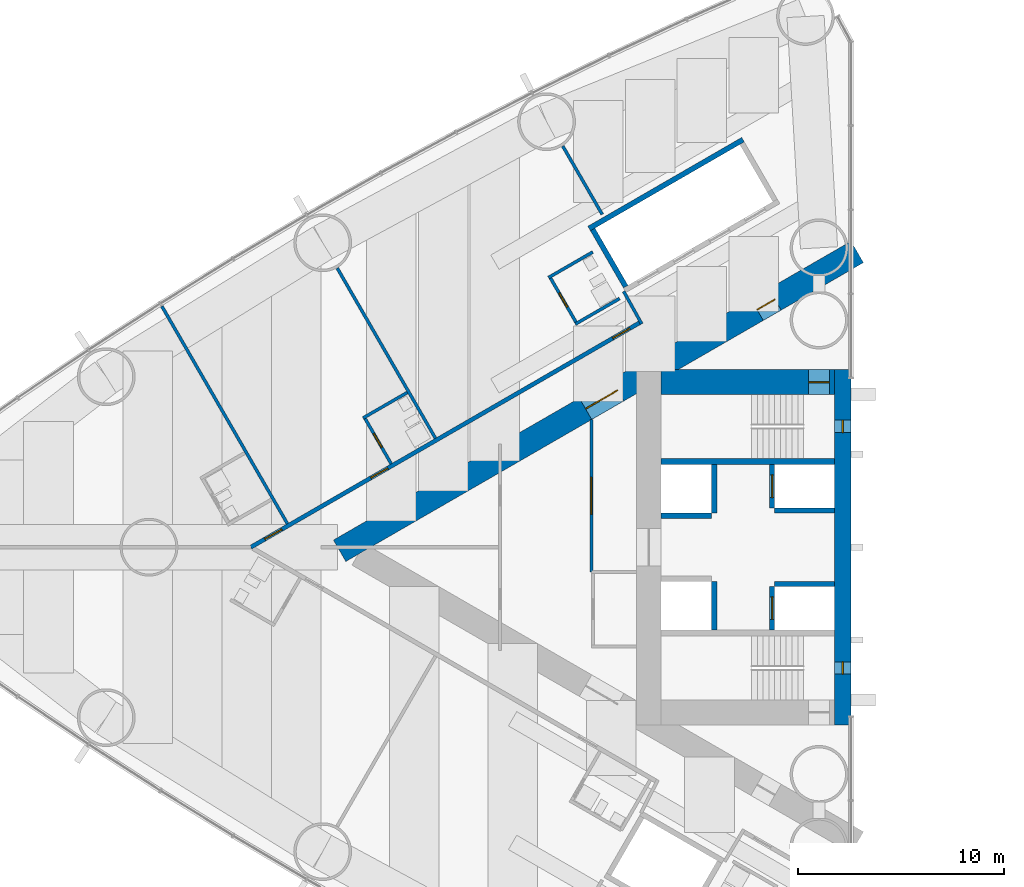
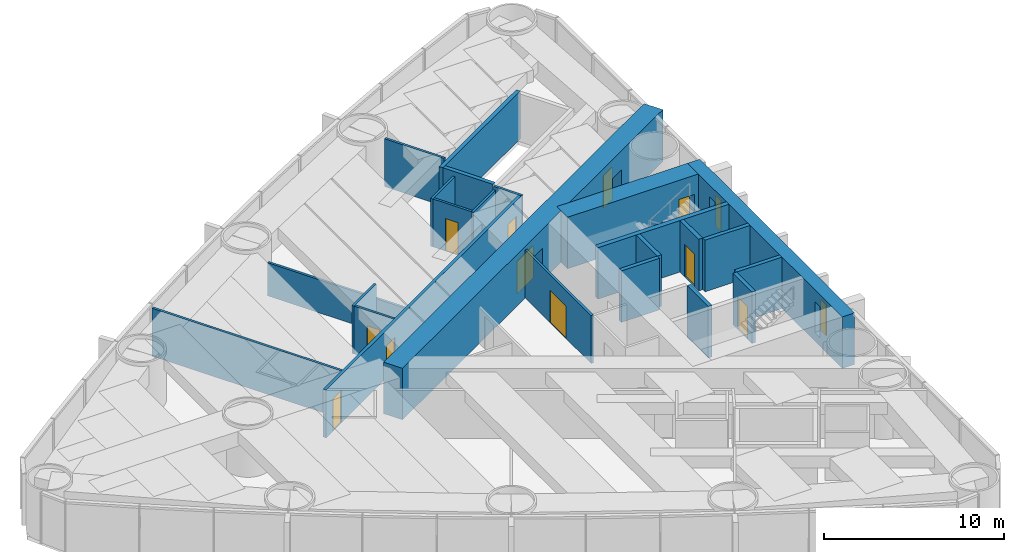
# One storey, part 12 of 19: 24 walls, 11 doors, 2 windows, 13 openings.
"""IFC4 building model written with IfcOpenShell, lengths in metres."""

from ifc_helpers import new_model, si_unit, direction, frame, frame_2d, origin, place, context, subcontext, project, spatial, rectangle, extrude, material, layer, layer_set, type_object, element, fill, save


model = new_model("IFC4")

# Units and contexts
model_context = context("Model", 3, precision=1e-05, world=origin(), true_north=direction((0.0, 1.0)))
body_context = subcontext(model_context, "Body", "Model", "MODEL_VIEW")
ifc_project = project(units=[si_unit("LENGTHUNIT", "METRE"), si_unit("AREAUNIT", "SQUARE_METRE"), si_unit("VOLUMEUNIT", "CUBIC_METRE"), si_unit("PLANEANGLEUNIT", "RADIAN"), si_unit("MASSUNIT", "GRAM", prefix="KILO")], contexts=[model_context])

# Site, building, storey
site_placement = place(None, origin())
site = spatial("IfcSite", under=ifc_project, at=site_placement, CompositionType="ELEMENT")
building_placement = place(site_placement, origin())
building = spatial("IfcBuilding", under=site, at=building_placement, Name="Lancet Gate Hotel", CompositionType="ELEMENT")
storey_placement = place(building_placement, frame((0.0, 0.0, 67.0)))
storey = spatial("IfcBuildingStorey", under=building, at=storey_placement, Name="L17", CompositionType="ELEMENT", Elevation=67.0)

# Wall
ifc_material_1 = material(Name="Moisture resistant board partition")
ifc_layer_1 = layer(ifc_material_1, 0.14990234375)
ifc_layer_set_1 = layer_set([ifc_layer_1], Name="Bathroom wall 150")
wall_type_1 = type_object("IfcWallType", Name="Bathroom wall 150", PredefinedType="PARTITIONING", material=ifc_layer_set_1)
wall_1_placement = place(storey_placement, frame((-48.99169921875, 7.491943359375, 0.0), z_axis=(0.0, 0.0, 1.0), x_axis=(-0.866031185235, -0.4999899861, 0.0)))
element("IfcWall", 1, at=wall_1_placement, inside=storey, type_object=wall_type_1, Name="T1 bathroom wall 150 L17", PredefinedType="PARTITIONING", context=body_context, shape_type="SweptSolid", body=[
    extrude(rectangle(XDim=2.47509765625, YDim=0.14990234375, at=frame_2d((1.237548828125, 0.0))), origin(), (0.0, 0.0, 1.0), 3.25),
])

# Wall, opening, door
wall_2_placement = place(storey_placement, frame((-49.770263671875, 4.040283203125, 0.0), z_axis=(0.0, 0.0, 1.0), x_axis=(-0.500006934395, 0.866021400173, 0.0)))
wall_2 = element("IfcWall", 2, at=wall_2_placement, inside=storey, type_object=wall_type_1, Name="T1 bathroom wall 150 L17", PredefinedType="PARTITIONING", context=body_context, shape_type="SweptSolid", body=[
    extrude(rectangle(XDim=2.60009765625, YDim=0.14990234375, at=frame_2d((1.300048828125, 0.0))), origin(), (0.0, 0.0, 1.0), 3.25),
])
opening_1_placement = place(wall_2_placement, frame((0.89990234375, 0.0, 0.0)))
opening_1 = element("IfcOpeningElement", 3, at=opening_1_placement, cuts=wall_2, Name="Opening 1703-B", PredefinedType="OPENING", context=body_context, shape_type="SweptSolid", body=[
    extrude(rectangle(XDim=0.800048828125, YDim=2.199951171875, at=frame_2d((0.39990234375, 1.10009765625))), frame((0.0, 0.0849609375, 0.0), z_axis=(0.0, -1.0, 0.0), x_axis=(1.0, 0.0, 0.0)), (0.0, 0.0, 1.0), 0.169921875),
])
ifc_material_2 = material(Name="Timber door set", Category="wood")
door_type_1 = type_object("IfcDoorType", Name="Bathroom door 800", OperationType="SINGLE_SWING_RIGHT", PredefinedType="DOOR", material=ifc_material_2)
door_1_placement = place(opening_1_placement, origin())
door_1 = element("IfcDoor", 4, at=door_1_placement, inside=storey, type_object=door_type_1, Name="1703-B", OperationType="SINGLE_SWING_RIGHT", OverallHeight=2.199951171875, OverallWidth=0.800048828125, PredefinedType="DOOR", context=body_context, shape_type="SweptSolid", body=[
    extrude(rectangle(XDim=0.800048828125, YDim=2.199951171875, at=frame_2d((0.39990234375, 1.10009765625))), frame((0.0, 0.02490234375, 0.0), z_axis=(0.0, -1.0, 0.0), x_axis=(1.0, 0.0, 0.0)), (0.0, 0.0, 1.0), 0.050048828125),
])
fill(opening_1, door_1)

# Wall
wall_3_placement = place(storey_placement, frame((-40.009765625, 14.294189453125, 0.0), z_axis=(0.0, 0.0, 1.0), x_axis=(-0.866031185235, -0.4999899861, 0.0)))
element("IfcWall", 5, at=wall_3_placement, inside=storey, type_object=wall_type_1, Name="T1 bathroom wall 150 L17", PredefinedType="PARTITIONING", context=body_context, shape_type="SweptSolid", body=[
    extrude(rectangle(XDim=2.47509765625, YDim=0.14990234375, at=frame_2d((1.237548828125, 0.0))), origin(), (0.0, 0.0, 1.0), 3.25),
])

# Wall, opening, door
wall_4_placement = place(storey_placement, frame((-40.788330078125, 10.842529296875, 0.0), z_axis=(0.0, 0.0, 1.0), x_axis=(-0.500006934395, 0.866021400173, 0.0)))
wall_4 = element("IfcWall", 6, at=wall_4_placement, inside=storey, type_object=wall_type_1, Name="T1 bathroom wall 150 L17", PredefinedType="PARTITIONING", context=body_context, shape_type="SweptSolid", body=[
    extrude(rectangle(XDim=2.60009765625, YDim=0.14990234375, at=frame_2d((1.300048828125, 0.0))), origin(), (0.0, 0.0, 1.0), 3.25),
])
opening_2_placement = place(wall_4_placement, frame((0.89990234375, 0.0, 0.0)))
opening_2 = element("IfcOpeningElement", 7, at=opening_2_placement, cuts=wall_4, Name="Opening 1702-B", PredefinedType="OPENING", context=body_context, shape_type="SweptSolid", body=[
    extrude(rectangle(XDim=0.800048828125, YDim=2.199951171875, at=frame_2d((0.39990234375, 1.10009765625))), frame((0.0, 0.0849609375, 0.0), z_axis=(0.0, -1.0, 0.0), x_axis=(1.0, 0.0, 0.0)), (0.0, 0.0, 1.0), 0.169921875),
])
door_2_placement = place(opening_2_placement, origin())
door_2 = element("IfcDoor", 8, at=door_2_placement, inside=storey, type_object=door_type_1, Name="1702-B", OperationType="SINGLE_SWING_RIGHT", OverallHeight=2.199951171875, OverallWidth=0.800048828125, PredefinedType="DOOR", context=body_context, shape_type="SweptSolid", body=[
    extrude(rectangle(XDim=0.800048828125, YDim=2.199951171875, at=frame_2d((0.39990234375, 1.10009765625))), frame((0.0, 0.02490234375, 0.0), z_axis=(0.0, -1.0, 0.0), x_axis=(1.0, 0.0, 0.0)), (0.0, 0.0, 1.0), 0.050048828125),
])
fill(opening_2, door_2)

# Wall
wall_5_placement = place(storey_placement, frame((-38.7099609375, 12.04248046875, 0.0), z_axis=(0.0, 0.0, 1.0), x_axis=(-0.86604923931, -0.499958713387, 0.0)))
element("IfcWall", 9, at=wall_5_placement, inside=storey, type_object=wall_type_1, Name="T1 bathroom wall 150 L17", PredefinedType="PARTITIONING", context=body_context, shape_type="SweptSolid", body=[
    extrude(rectangle(XDim=2.474853515625, YDim=0.14990234375, at=frame_2d((1.2373046875, 0.0))), origin(), (0.0, 0.0, 1.0), 3.25),
])

# Wall, openings, doors
ifc_material_3 = material(Name="Concrete C70/85", Category="concrete")
ifc_layer_2 = layer(ifc_material_3, 1.199951171875)
ifc_layer_set_2 = layer_set([ifc_layer_2], Name="Buttress wall 1200")
wall_type_2 = type_object("IfcWallType", Name="Buttress wall 1200", PredefinedType="SHEAR", material=ifc_layer_set_2)
wall_6_placement = place(storey_placement, frame((-27.199951171875, 14.300048828125, 0.0), z_axis=(0.0, 0.0, 1.0), x_axis=(-0.866026593062, -0.499997940104, 0.0)))
wall_6 = element("IfcWall", 10, at=wall_6_placement, inside=storey, type_object=wall_type_2, Name="T1 buttress wall S L17", PredefinedType="SHEAR", context=body_context, shape_type="SweptSolid", body=[
    extrude(rectangle(XDim=28.9462890625, YDim=1.199951171875, at=frame_2d((14.47314453125, 0.0))), origin(), (0.0, 0.0, 1.0), 3.5),
])
opening_3_placement = place(wall_6_placement, frame((4.60009765625, 0.0, 0.0)))
opening_3 = element("IfcOpeningElement", 11, at=opening_3_placement, cuts=wall_6, Name="Opening T1-L17-LS", PredefinedType="OPENING", context=body_context, shape_type="SweptSolid", body=[
    extrude(rectangle(XDim=1.0, YDim=2.199951171875, at=frame_2d((0.5, 1.10009765625))), frame((0.0, 0.60986328125, 0.0), z_axis=(0.0, -1.0, 0.0), x_axis=(1.0, 0.0, 0.0)), (0.0, 0.0, 1.0), 1.219970703125),
])
opening_4_placement = place(wall_6_placement, frame((13.39453125, 0.0, 0.0)))
opening_4 = element("IfcOpeningElement", 12, at=opening_4_placement, cuts=wall_6, Name="Opening T1-L17-LHS", PredefinedType="OPENING", context=body_context, shape_type="SweptSolid", body=[
    extrude(rectangle(XDim=1.800048828125, YDim=2.199951171875, at=frame_2d((0.89990234375, 1.10009765625))), frame((0.0, 0.60986328125, 0.0), z_axis=(0.0, -1.0, 0.0), x_axis=(1.0, 0.0, 0.0)), (0.0, 0.0, 1.0), 1.219970703125),
])
ifc_material_4 = material(Name="Timber door set", Category="wood")
door_type_2 = type_object("IfcDoorType", Name="Lobby double door 1800", OperationType="DOUBLE_DOOR_SINGLE_SWING", PredefinedType="DOOR", material=ifc_material_4)
door_3_placement = place(opening_4_placement, origin())
door_3 = element("IfcDoor", 13, at=door_3_placement, inside=storey, type_object=door_type_2, Name="T1-L17-LHS", OperationType="DOUBLE_DOOR_SINGLE_SWING", OverallHeight=2.199951171875, OverallWidth=1.800048828125, PredefinedType="DOOR", context=body_context, shape_type="SweptSolid", body=[
    extrude(rectangle(XDim=1.800048828125, YDim=2.199951171875, at=frame_2d((0.89990234375, 1.10009765625))), frame((0.0, 0.02490234375, 0.0), z_axis=(0.0, -1.0, 0.0), x_axis=(1.0, 0.0, 0.0)), (0.0, 0.0, 1.0), 0.050048828125),
])
fill(opening_4, door_3)
ifc_material_5 = material(Name="Timber door set", Category="wood")
door_type_3 = type_object("IfcDoorType", Name="Stair lobby door 1000", OperationType="SINGLE_SWING_LEFT", PredefinedType="DOOR", material=ifc_material_5)
door_4_placement = place(opening_3_placement, origin())
door_4 = element("IfcDoor", 14, at=door_4_placement, inside=storey, type_object=door_type_3, Name="T1-L17-LS", OperationType="SINGLE_SWING_LEFT", OverallHeight=2.199951171875, OverallWidth=1.0, PredefinedType="DOOR", context=body_context, shape_type="SweptSolid", body=[
    extrude(rectangle(XDim=1.0, YDim=2.199951171875, at=frame_2d((0.5, 1.10009765625))), frame((0.0, 0.02490234375, 0.0), z_axis=(0.0, -1.0, 0.0), x_axis=(1.0, 0.0, 0.0)), (0.0, 0.0, 1.0), 0.050048828125),
])
fill(opening_3, door_4)

# Wall, opening, door
ifc_material_6 = material(Name="Concrete C70/85", Category="concrete")
ifc_layer_3 = layer(ifc_material_6, 1.199951171875)
ifc_layer_set_3 = layer_set([ifc_layer_3], Name="Core wall 1200")
wall_type_3 = type_object("IfcWallType", Name="Core wall 1200", PredefinedType="SHEAR", material=ifc_layer_set_3)
wall_7_placement = place(storey_placement, frame((-28.300048828125, 8.0, 0.0), z_axis=(0.0, 0.0, 1.0), x_axis=(-1.0, 0.0, 0.0)))
wall_7 = element("IfcWall", 15, at=wall_7_placement, inside=storey, type_object=wall_type_3, Name="T1 core wall side-S L17", PredefinedType="SHEAR", context=body_context, shape_type="SweptSolid", body=[
    extrude(rectangle(XDim=8.39990234375, YDim=1.199951171875, at=frame_2d((4.199951171875, 0.0))), origin(), (0.0, 0.0, 1.0), 3.5),
])
opening_5_placement = place(wall_7_placement, frame((0.25, 0.0, 0.0)))
opening_5 = element("IfcOpeningElement", 16, at=opening_5_placement, cuts=wall_7, Name="Opening T1-L17-ST1", PredefinedType="OPENING", context=body_context, shape_type="SweptSolid", body=[
    extrude(rectangle(XDim=1.0, YDim=2.199951171875, at=frame_2d((0.5, 1.10009765625))), frame((0.0, 0.60986328125, 0.0), z_axis=(0.0, -1.0, 0.0), x_axis=(1.0, 0.0, 0.0)), (0.0, 0.0, 1.0), 1.219970703125),
])
ifc_material_7 = material(Name="Timber door set", Category="wood")
door_type_4 = type_object("IfcDoorType", Name="Stair door 1000", OperationType="SINGLE_SWING_RIGHT", PredefinedType="DOOR", material=ifc_material_7)
door_5_placement = place(opening_5_placement, origin())
door_5 = element("IfcDoor", 17, at=door_5_placement, inside=storey, type_object=door_type_4, Name="T1-L17-ST1", OperationType="SINGLE_SWING_RIGHT", OverallHeight=2.199951171875, OverallWidth=1.0, PredefinedType="DOOR", context=body_context, shape_type="SweptSolid", body=[
    extrude(rectangle(XDim=1.0, YDim=2.199951171875, at=frame_2d((0.5, 1.10009765625))), frame((0.0, 0.02490234375, 0.0), z_axis=(0.0, -1.0, 0.0), x_axis=(1.0, 0.0, 0.0)), (0.0, 0.0, 1.0), 0.050048828125),
])
fill(opening_5, door_5)

# Wall, openings, windows
ifc_material_8 = material(Name="Concrete C70/85", Category="concrete")
ifc_layer_4 = layer(ifc_material_8, 0.800048828125)
ifc_layer_set_4 = layer_set([ifc_layer_4], Name="Core wall 800")
wall_type_4 = type_object("IfcWallType", Name="Core wall 800", PredefinedType="SHEAR", material=ifc_layer_set_4)
wall_8_placement = place(storey_placement, frame((-27.89990234375, 8.60009765625, 0.0), z_axis=(0.0, 0.0, 1.0), x_axis=(0.0, -1.0, 0.0)))
wall_8 = element("IfcWall", 18, at=wall_8_placement, inside=storey, type_object=wall_type_4, Name="T1 core wall front L17", PredefinedType="SHEAR", context=body_context, shape_type="SweptSolid", body=[
    extrude(rectangle(XDim=17.2001953125, YDim=0.800048828125, at=frame_2d((8.60009765625, 0.0))), origin(), (0.0, 0.0, 1.0), 3.5),
])
opening_6_placement = place(wall_8_placement, frame((2.449951171875, 0.0, 0.60009765625)))
opening_6 = element("IfcOpeningElement", 19, at=opening_6_placement, cuts=wall_8, Name="Opening LW1", PredefinedType="OPENING", context=body_context, shape_type="SweptSolid", body=[
    extrude(rectangle(XDim=0.60009765625, YDim=2.10009765625, at=frame_2d((0.300048828125, 1.050048828125))), frame((0.0, 0.409912109375, 0.0), z_axis=(0.0, -1.0, 0.0), x_axis=(1.0, 0.0, 0.0)), (0.0, 0.0, 1.0), 0.820068359375),
])
opening_7_placement = place(wall_8_placement, frame((14.14990234375, 0.0, 0.60009765625)))
opening_7 = element("IfcOpeningElement", 20, at=opening_7_placement, cuts=wall_8, Name="Opening LW1", PredefinedType="OPENING", context=body_context, shape_type="SweptSolid", body=[
    extrude(rectangle(XDim=0.60009765625, YDim=2.10009765625, at=frame_2d((0.300048828125, 1.050048828125))), frame((0.0, 0.409912109375, 0.0), z_axis=(0.0, -1.0, 0.0), x_axis=(1.0, 0.0, 0.0)), (0.0, 0.0, 1.0), 0.820068359375),
])
ifc_material_9 = material(Name="Fire-resisting glazed steel window", Category="steel")
window_type = type_object("IfcWindowType", Name="Lancet window 600x2100", PartitioningType="SINGLE_PANEL", PredefinedType="WINDOW", material=ifc_material_9)
window_1_placement = place(opening_6_placement, origin())
window_1 = element("IfcWindow", 21, at=window_1_placement, inside=storey, type_object=window_type, Name="T1 stair window S L17", OverallHeight=2.10009765625, OverallWidth=0.60009765625, PartitioningType="SINGLE_PANEL", PredefinedType="WINDOW", context=body_context, shape_type="SweptSolid", body=[
    extrude(rectangle(XDim=0.60009765625, YDim=2.10009765625, at=frame_2d((0.300048828125, 1.050048828125))), frame((0.0, 0.030029296875, 0.0), z_axis=(0.0, -1.0, 0.0), x_axis=(1.0, 0.0, 0.0)), (0.0, 0.0, 1.0), 0.06005859375),
])
fill(opening_6, window_1)
window_2_placement = place(opening_7_placement, origin())
window_2 = element("IfcWindow", 22, at=window_2_placement, inside=storey, type_object=window_type, Name="T1 stair window N L17", OverallHeight=2.10009765625, OverallWidth=0.60009765625, PartitioningType="SINGLE_PANEL", PredefinedType="WINDOW", context=body_context, shape_type="SweptSolid", body=[
    extrude(rectangle(XDim=0.60009765625, YDim=2.10009765625, at=frame_2d((0.300048828125, 1.050048828125))), frame((0.0, 0.030029296875, 0.0), z_axis=(0.0, -1.0, 0.0), x_axis=(1.0, 0.0, 0.0)), (0.0, 0.0, 1.0), 0.06005859375),
])
fill(opening_7, window_2)

# Wall, openings, doors
ifc_material_10 = material(Name="Gypsum board partition")
ifc_layer_5 = layer(ifc_material_10, 0.199951171875)
ifc_layer_set_5 = layer_set([ifc_layer_5], Name="Corridor wall 200")
wall_type_5 = type_object("IfcWallType", Name="Corridor wall 200", PredefinedType="PARTITIONING", material=ifc_layer_set_5)
wall_9_placement = place(storey_placement, frame((-37.699951171875, 10.8935546875, 0.0), z_axis=(0.0, 0.0, 1.0), x_axis=(-0.866027905338, -0.499995667157, 0.0)))
wall_9 = element("IfcWall", 23, at=wall_9_placement, inside=storey, type_object=wall_type_5, Name="T1 corridor wall 200 L17", PredefinedType="PARTITIONING", context=body_context, shape_type="SweptSolid", body=[
    extrude(rectangle(XDim=21.787353515625, YDim=0.199951171875, at=frame_2d((10.8935546875, 0.0))), origin(), (0.0, 0.0, 1.0), 3.25),
])
opening_8_placement = place(wall_9_placement, frame((14.129638671875, 0.0, 0.0)))
opening_8 = element("IfcOpeningElement", 24, at=opening_8_placement, cuts=wall_9, Name="Opening 1703-E", PredefinedType="OPENING", context=body_context, shape_type="SweptSolid", body=[
    extrude(rectangle(XDim=0.949951171875, YDim=2.199951171875, at=frame_2d((0.47509765625, 1.10009765625))), frame((0.0, 0.10986328125, 0.0), z_axis=(0.0, -1.0, 0.0), x_axis=(1.0, 0.0, 0.0)), (0.0, 0.0, 1.0), 0.219970703125),
])
opening_9_placement = place(wall_9_placement, frame((20.05810546875, 0.0, 0.0)))
opening_9 = element("IfcOpeningElement", 25, at=opening_9_placement, cuts=wall_9, Name="Opening 1704-E", PredefinedType="OPENING", context=body_context, shape_type="SweptSolid", body=[
    extrude(rectangle(XDim=0.949951171875, YDim=2.199951171875, at=frame_2d((0.47509765625, 1.10009765625))), frame((0.0, 0.10986328125, 0.0), z_axis=(0.0, -1.0, 0.0), x_axis=(1.0, 0.0, 0.0)), (0.0, 0.0, 1.0), 0.219970703125),
])
opening_10_placement = place(wall_9_placement, frame((0.60009765625, 0.0, 0.0)))
opening_10 = element("IfcOpeningElement", 26, at=opening_10_placement, cuts=wall_9, Name="Opening 1702-E", PredefinedType="OPENING", context=body_context, shape_type="SweptSolid", body=[
    extrude(rectangle(XDim=0.949951171875, YDim=2.199951171875, at=frame_2d((0.47509765625, 1.10009765625))), frame((0.0, 0.10986328125, 0.0), z_axis=(0.0, -1.0, 0.0), x_axis=(1.0, 0.0, 0.0)), (0.0, 0.0, 1.0), 0.219970703125),
])
ifc_material_11 = material(Name="Timber door set", Category="wood")
door_type_5 = type_object("IfcDoorType", Name="Guest room entry door 950", OperationType="SINGLE_SWING_LEFT", PredefinedType="DOOR", material=ifc_material_11)
door_6_placement = place(opening_8_placement, origin())
door_6 = element("IfcDoor", 27, at=door_6_placement, inside=storey, type_object=door_type_5, Name="1703-E", OperationType="SINGLE_SWING_LEFT", OverallHeight=2.199951171875, OverallWidth=0.949951171875, PredefinedType="DOOR", context=body_context, shape_type="SweptSolid", body=[
    extrude(rectangle(XDim=0.949951171875, YDim=2.199951171875, at=frame_2d((0.47509765625, 1.10009765625))), frame((0.0, 0.02490234375, 0.0), z_axis=(0.0, -1.0, 0.0), x_axis=(1.0, 0.0, 0.0)), (0.0, 0.0, 1.0), 0.050048828125),
])
fill(opening_8, door_6)
door_7_placement = place(opening_9_placement, origin())
door_7 = element("IfcDoor", 28, at=door_7_placement, inside=storey, type_object=door_type_5, Name="1704-E", OperationType="SINGLE_SWING_LEFT", OverallHeight=2.199951171875, OverallWidth=0.949951171875, PredefinedType="DOOR", context=body_context, shape_type="SweptSolid", body=[
    extrude(rectangle(XDim=0.949951171875, YDim=2.199951171875, at=frame_2d((0.47509765625, 1.10009765625))), frame((0.0, 0.02490234375, 0.0), z_axis=(0.0, -1.0, 0.0), x_axis=(1.0, 0.0, 0.0)), (0.0, 0.0, 1.0), 0.050048828125),
])
fill(opening_9, door_7)
door_8_placement = place(opening_10_placement, origin())
door_8 = element("IfcDoor", 29, at=door_8_placement, inside=storey, type_object=door_type_5, Name="1702-E", OperationType="SINGLE_SWING_LEFT", OverallHeight=2.199951171875, OverallWidth=0.949951171875, PredefinedType="DOOR", context=body_context, shape_type="SweptSolid", body=[
    extrude(rectangle(XDim=0.949951171875, YDim=2.199951171875, at=frame_2d((0.47509765625, 1.10009765625))), frame((0.0, 0.02490234375, 0.0), z_axis=(0.0, -1.0, 0.0), x_axis=(1.0, 0.0, 0.0)), (0.0, 0.0, 1.0), 0.050048828125),
])
fill(opening_10, door_8)

# Walls
ifc_material_12 = material(Name="Gypsum board partition")
ifc_layer_6 = layer(ifc_material_12, 0.25)
ifc_layer_set_6 = layer_set([ifc_layer_6], Name="Lift shaft partition 250")
wall_type_6 = type_object("IfcWallType", Name="Lift shaft partition 250", PredefinedType="PARTITIONING", material=ifc_layer_set_6)
wall_10_placement = place(storey_placement, frame((-32.735595703125, 19.73583984375, 0.0), z_axis=(0.0, 0.0, 1.0), x_axis=(-0.866028165386, -0.499995216735, 0.0)))
element("IfcWall", 30, at=wall_10_placement, inside=storey, type_object=wall_type_6, Name="T1 lift shaft wall LR L17", PredefinedType="PARTITIONING", context=body_context, shape_type="SweptSolid", body=[
    extrude(rectangle(XDim=8.60009765625, YDim=0.25, at=frame_2d((4.300048828125, 0.0))), origin(), (0.0, 0.0, 1.0), 3.25),
])
wall_11_placement = place(storey_placement, frame((-38.412841796875, 12.617919921875, 0.0), z_axis=(0.0, 0.0, 1.0), x_axis=(-0.499872130319, 0.866099216793, 0.0)))
element("IfcWall", 31, at=wall_11_placement, inside=storey, type_object=wall_type_6, Name="T1 lift shaft wall LR L17", PredefinedType="PARTITIONING", context=body_context, shape_type="SweptSolid", body=[
    extrude(rectangle(XDim=3.200439453125, YDim=0.25, at=frame_2d((1.60009765625, 0.0))), origin(), (0.0, 0.0, 1.0), 3.25),
])

# Wall, opening, door
ifc_material_13 = material(Name="Concrete C50/60", Category="concrete")
ifc_layer_7 = layer(ifc_material_13, 0.25)
ifc_layer_set_7 = layer_set([ifc_layer_7], Name="Lift shaft wall 250")
wall_type_7 = type_object("IfcWallType", Name="Lift shaft wall 250", PredefinedType="SHEAR", material=ifc_layer_set_7)
wall_12_placement = place(storey_placement, frame((-31.324951171875, 4.0, 0.0), z_axis=(0.0, 0.0, 1.0), x_axis=(0.0, -1.0, 0.0)))
wall_12 = element("IfcWall", 32, at=wall_12_placement, inside=storey, type_object=wall_type_7, Name="T1 core wall row1-S L17", PredefinedType="SHEAR", context=body_context, shape_type="SweptSolid", body=[
    extrude(rectangle(XDim=2.10009765625, YDim=0.25, at=frame_2d((1.050048828125, 0.0))), origin(), (0.0, 0.0, 1.0), 3.5),
])
opening_11_placement = place(wall_12_placement, frame((0.5, 0.0, 0.0)))
opening_11 = element("IfcOpeningElement", 33, at=opening_11_placement, cuts=wall_12, Name="Opening T1-SL1-L17", PredefinedType="OPENING", context=body_context, shape_type="SweptSolid", body=[
    extrude(rectangle(XDim=1.10009765625, YDim=2.199951171875, at=frame_2d((0.550048828125, 1.10009765625))), frame((0.0, 0.135009765625, 0.0), z_axis=(0.0, -1.0, 0.0), x_axis=(1.0, 0.0, 0.0)), (0.0, 0.0, 1.0), 0.27001953125),
])
ifc_material_14 = material(Name="Timber door set", Category="wood")
door_type_6 = type_object("IfcDoorType", Name="Service lift landing door 1100", OperationType="SLIDING_TO_LEFT", PredefinedType="USERDEFINED", material=ifc_material_14)
door_9_placement = place(opening_11_placement, origin())
door_9 = element("IfcDoor", 34, at=door_9_placement, inside=storey, type_object=door_type_6, Name="T1-SL1-L17", ObjectType="LIFT LANDING DOOR", OperationType="SLIDING_TO_LEFT", OverallHeight=2.199951171875, OverallWidth=1.10009765625, PredefinedType="USERDEFINED", context=body_context, shape_type="SweptSolid", body=[
    extrude(rectangle(XDim=1.10009765625, YDim=2.199951171875, at=frame_2d((0.550048828125, 1.10009765625))), frame((0.0, 0.02490234375, 0.0), z_axis=(0.0, -1.0, 0.0), x_axis=(1.0, 0.0, 0.0)), (0.0, 0.0, 1.0), 0.050048828125),
])
fill(opening_11, door_9)

# Walls
wall_13_placement = place(storey_placement, frame((-34.125, 4.0, 0.0), z_axis=(0.0, 0.0, 1.0), x_axis=(0.0, -1.0, 0.0)))
element("IfcWall", 35, at=wall_13_placement, inside=storey, type_object=wall_type_7, Name="T1 core wall row2-S L17", PredefinedType="SHEAR", context=body_context, shape_type="SweptSolid", body=[
    extrude(rectangle(XDim=2.35009765625, YDim=0.25, at=frame_2d((1.175048828125, 0.0))), origin(), (0.0, 0.0, 1.0), 3.5),
])
wall_14_placement = place(storey_placement, frame((-28.300048828125, 1.77490234375, 0.0), z_axis=(0.0, 0.0, 1.0), x_axis=(-1.0, 0.0, 0.0)))
element("IfcWall", 36, at=wall_14_placement, inside=storey, type_object=wall_type_7, Name="T1 core wall pass1-S L17", PredefinedType="SHEAR", context=body_context, shape_type="SweptSolid", body=[
    extrude(rectangle(XDim=2.89990234375, YDim=0.25, at=frame_2d((1.449951171875, 0.0))), origin(), (0.0, 0.0, 1.0), 3.5),
])
wall_15_placement = place(storey_placement, frame((-34.25, 1.52490234375, 0.0), z_axis=(0.0, 0.0, 1.0), x_axis=(-1.0, 0.0, 0.0)))
element("IfcWall", 37, at=wall_15_placement, inside=storey, type_object=wall_type_7, Name="T1 core wall pass2-S L17", PredefinedType="SHEAR", context=body_context, shape_type="SweptSolid", body=[
    extrude(rectangle(XDim=2.449951171875, YDim=0.25, at=frame_2d((1.22509765625, 0.0))), origin(), (0.0, 0.0, 1.0), 3.5),
])

# Wall, opening, door
wall_16_placement = place(storey_placement, frame((-31.324951171875, -1.89990234375, 0.0), z_axis=(0.0, 0.0, 1.0), x_axis=(0.0, -1.0, 0.0)))
wall_16 = element("IfcWall", 38, at=wall_16_placement, inside=storey, type_object=wall_type_7, Name="T1 core wall row1-N L17", PredefinedType="SHEAR", context=body_context, shape_type="SweptSolid", body=[
    extrude(rectangle(XDim=2.10009765625, YDim=0.25, at=frame_2d((1.050048828125, 0.0))), origin(), (0.0, 0.0, 1.0), 3.5),
])
opening_12_placement = place(wall_16_placement, frame((0.5, 0.0, 0.0)))
opening_12 = element("IfcOpeningElement", 39, at=opening_12_placement, cuts=wall_16, Name="Opening T1-FL2-L17", PredefinedType="OPENING", context=body_context, shape_type="SweptSolid", body=[
    extrude(rectangle(XDim=1.10009765625, YDim=2.199951171875, at=frame_2d((0.550048828125, 1.10009765625))), frame((0.0, 0.135009765625, 0.0), z_axis=(0.0, -1.0, 0.0), x_axis=(1.0, 0.0, 0.0)), (0.0, 0.0, 1.0), 0.27001953125),
])
ifc_material_15 = material(Name="Steel door set", Category="steel")
door_type_7 = type_object("IfcDoorType", Name="Firefighting lift landing door 1100", OperationType="SLIDING_TO_LEFT", PredefinedType="USERDEFINED", material=ifc_material_15)
door_10_placement = place(opening_12_placement, origin())
door_10 = element("IfcDoor", 40, at=door_10_placement, inside=storey, type_object=door_type_7, Name="T1-FL2-L17", ObjectType="LIFT LANDING DOOR", OperationType="SLIDING_TO_LEFT", OverallHeight=2.199951171875, OverallWidth=1.10009765625, PredefinedType="USERDEFINED", context=body_context, shape_type="SweptSolid", body=[
    extrude(rectangle(XDim=1.10009765625, YDim=2.199951171875, at=frame_2d((0.550048828125, 1.10009765625))), frame((0.0, 0.02490234375, 0.0), z_axis=(0.0, -1.0, 0.0), x_axis=(1.0, 0.0, 0.0)), (0.0, 0.0, 1.0), 0.050048828125),
])
fill(opening_12, door_10)

# Walls
wall_17_placement = place(storey_placement, frame((-34.125, -1.64990234375, 0.0), z_axis=(0.0, 0.0, 1.0), x_axis=(0.0, -1.0, 0.0)))
element("IfcWall", 41, at=wall_17_placement, inside=storey, type_object=wall_type_7, Name="T1 core wall row2-N L17", PredefinedType="SHEAR", context=body_context, shape_type="SweptSolid", body=[
    extrude(rectangle(XDim=2.35009765625, YDim=0.25, at=frame_2d((1.175048828125, 0.0))), origin(), (0.0, 0.0, 1.0), 3.5),
])
wall_18_placement = place(storey_placement, frame((-28.300048828125, -1.77490234375, 0.0), z_axis=(0.0, 0.0, 1.0), x_axis=(-1.0, 0.0, 0.0)))
element("IfcWall", 42, at=wall_18_placement, inside=storey, type_object=wall_type_7, Name="T1 core wall pass1-N L17", PredefinedType="SHEAR", context=body_context, shape_type="SweptSolid", body=[
    extrude(rectangle(XDim=2.89990234375, YDim=0.25, at=frame_2d((1.449951171875, 0.0))), origin(), (0.0, 0.0, 1.0), 3.5),
])
ifc_material_16 = material(Name="Gypsum board partition")
ifc_layer_8 = layer(ifc_material_16, 0.14990234375)
ifc_layer_set_8 = layer_set([ifc_layer_8], Name="Party wall 150")
wall_type_8 = type_object("IfcWallType", Name="Party wall 150", PredefinedType="PARTITIONING", material=ifc_layer_set_8)
wall_19_placement = place(storey_placement, frame((-47.626708984375, 5.27783203125, 0.0), z_axis=(0.0, 0.0, 1.0), x_axis=(-0.500009844318, 0.86601972009, 0.0)))
element("IfcWall", 43, at=wall_19_placement, inside=storey, type_object=wall_type_8, Name="T1 party wall 150 L17", PredefinedType="PARTITIONING", context=body_context, shape_type="SweptSolid", body=[
    extrude(rectangle(XDim=9.510498046875, YDim=0.14990234375, at=frame_2d((4.75537109375, 0.0))), origin(), (0.0, 0.0, 1.0), 2.25),
])
wall_20_placement = place(storey_placement, frame((-54.796142578125, 1.138671875, 0.0), z_axis=(0.0, 0.0, 1.0), x_axis=(-0.499998860433, 0.866026061713, 0.0)))
element("IfcWall", 44, at=wall_20_placement, inside=storey, type_object=wall_type_8, Name="T1 party wall 150 L17", PredefinedType="PARTITIONING", context=body_context, shape_type="SweptSolid", body=[
    extrude(rectangle(XDim=12.15673828125, YDim=0.14990234375, at=frame_2d((6.078369140625, 0.0))), origin(), (0.0, 0.0, 1.0), 3.25),
])
wall_21_placement = place(storey_placement, frame((-39.55078125, 16.11865234375, 0.0), z_axis=(0.0, 0.0, 1.0), x_axis=(-0.500014214979, 0.866017196607, 0.0)))
element("IfcWall", 45, at=wall_21_placement, inside=storey, type_object=wall_type_8, Name="T1 party wall 150 L17", PredefinedType="PARTITIONING", context=body_context, shape_type="SweptSolid", body=[
    extrude(rectangle(XDim=3.81494140625, YDim=0.14990234375, at=frame_2d((1.907470703125, 0.0))), origin(), (0.0, 0.0, 1.0), 3.25),
])
ifc_material_17 = material(Name="Gypsum board partition")
ifc_layer_9 = layer(ifc_material_17, 0.14990234375)
ifc_layer_set_9 = layer_set([ifc_layer_9], Name="Service room wall 150")
wall_type_9 = type_object("IfcWallType", Name="Service room wall 150", PredefinedType="PARTITIONING", material=ifc_layer_set_9)
wall_22_placement = place(storey_placement, frame((-38.513427734375, 12.392333984375, 0.0), z_axis=(0.0, 0.0, 1.0), x_axis=(0.485585508183, -0.874189175317, 0.0)))
element("IfcWall", 46, at=wall_22_placement, inside=storey, type_object=wall_type_9, Name="T1 service room wall 150 L17", PredefinedType="PARTITIONING", context=body_context, shape_type="SweptSolid", body=[
    extrude(rectangle(XDim=1.804931640625, YDim=0.14990234375, at=frame_2d((0.90234375, 0.0))), origin(), (0.0, 0.0, 1.0), 3.25),
])

# Wall, opening, door
wall_23_placement = place(storey_placement, frame((-40.074951171875, 6.173828125, 0.0), z_axis=(0.0, 0.0, 1.0), x_axis=(0.0, -1.0, 0.0)))
wall_23 = element("IfcWall", 47, at=wall_23_placement, inside=storey, type_object=wall_type_9, Name="T1 service room wall 150 L17", PredefinedType="PARTITIONING", context=body_context, shape_type="SweptSolid", body=[
    extrude(rectangle(XDim=7.373779296875, YDim=0.14990234375, at=frame_2d((3.68701171875, 0.0))), origin(), (0.0, 0.0, 1.0), 3.25),
])
opening_13_placement = place(wall_23_placement, frame((2.786865234375, 0.0, 0.0)))
opening_13 = element("IfcOpeningElement", 48, at=opening_13_placement, cuts=wall_23, Name="Opening T1-L17-LH", PredefinedType="OPENING", context=body_context, shape_type="SweptSolid", body=[
    extrude(rectangle(XDim=1.800048828125, YDim=2.199951171875, at=frame_2d((0.89990234375, 1.10009765625))), frame((0.0, 0.0849609375, 0.0), z_axis=(0.0, -1.0, 0.0), x_axis=(1.0, 0.0, 0.0)), (0.0, 0.0, 1.0), 0.169921875),
])
door_11_placement = place(opening_13_placement, origin())
door_11 = element("IfcDoor", 49, at=door_11_placement, inside=storey, type_object=door_type_2, Name="T1-L17-LH", OperationType="DOUBLE_DOOR_SINGLE_SWING", OverallHeight=2.199951171875, OverallWidth=1.800048828125, PredefinedType="DOOR", context=body_context, shape_type="SweptSolid", body=[
    extrude(rectangle(XDim=1.800048828125, YDim=2.199951171875, at=frame_2d((0.89990234375, 1.10009765625))), frame((0.0, 0.02490234375, 0.0), z_axis=(0.0, -1.0, 0.0), x_axis=(1.0, 0.0, 0.0)), (0.0, 0.0, 1.0), 0.050048828125),
])
fill(opening_13, door_11)

# Wall
ifc_material_18 = material(Name="Concrete C50/60", Category="concrete")
ifc_layer_10 = layer(ifc_material_18, 0.300048828125)
ifc_layer_set_10 = layer_set([ifc_layer_10], Name="Stair enclosure wall 300")
wall_type_10 = type_object("IfcWallType", Name="Stair enclosure wall 300", PredefinedType="SHEAR", material=ifc_layer_set_10)
wall_24_placement = place(storey_placement, frame((-28.300048828125, 4.14990234375, 0.0), z_axis=(0.0, 0.0, 1.0), x_axis=(-1.0, 0.0, 0.0)))
element("IfcWall", 50, at=wall_24_placement, inside=storey, type_object=wall_type_10, Name="T1 core wall stair-S L17", PredefinedType="SHEAR", context=body_context, shape_type="SweptSolid", body=[
    extrude(rectangle(XDim=8.39990234375, YDim=0.300048828125, at=frame_2d((4.199951171875, 0.0))), origin(), (0.0, 0.0, 1.0), 3.5),
])

save(model, "model.ifc")
